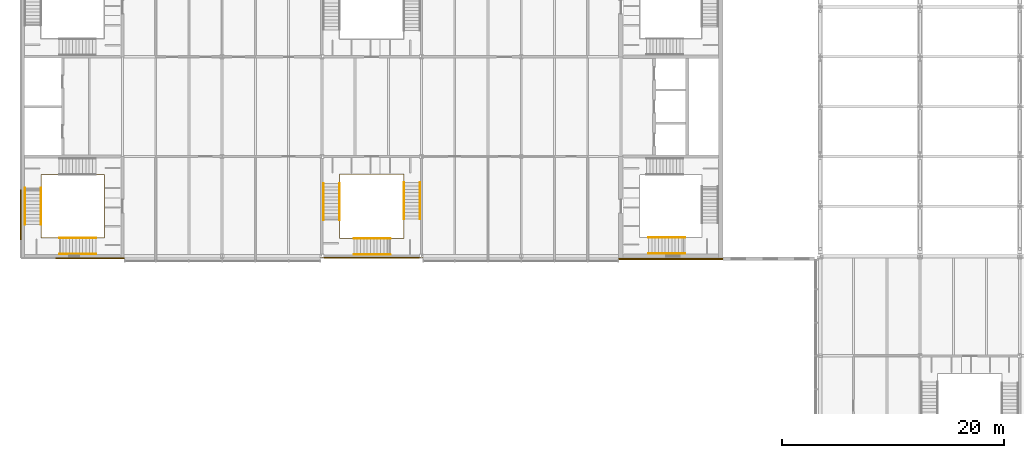
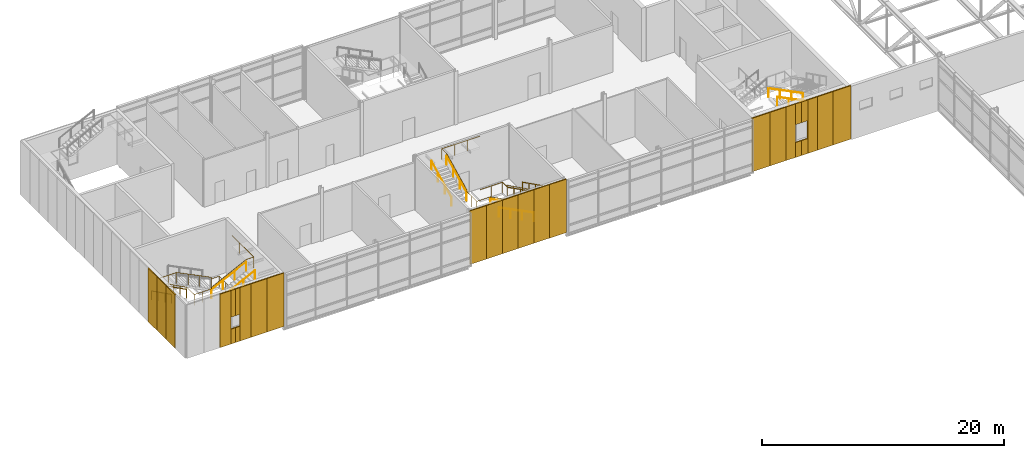
# One storey, part 48 of 53: 27 coverings, 14 railings.
"""IFC4 building model written with IfcOpenShell, lengths in metres."""

from ifc_helpers import new_model, si_unit, direction, frame, origin, origin_2d, place, context, subcontext, project, spatial, rectangle, circle, extrude, material, layer, layer_set, type_object, element, save


model = new_model("IFC4")

# Units and contexts
model_context = context("Model", 3, precision=1e-05, world=origin(), true_north=direction((0.0, 1.0)))
body_context = subcontext(model_context, "Body", "Model", "MODEL_VIEW")
ifc_project = project(units=[si_unit("LENGTHUNIT", "METRE"), si_unit("AREAUNIT", "SQUARE_METRE"), si_unit("VOLUMEUNIT", "CUBIC_METRE"), si_unit("PLANEANGLEUNIT", "RADIAN"), si_unit("MASSUNIT", "GRAM", prefix="KILO")], contexts=[model_context])

# Site, building, storey
site_placement = place(None, origin())
site = spatial("IfcSite", under=ifc_project, at=site_placement, CompositionType="ELEMENT")
building_placement = place(site_placement, origin())
building = spatial("IfcBuilding", under=site, at=building_placement, Name="Azimuth Sports and Learning Centre", CompositionType="ELEMENT")
storey_placement = place(building_placement, frame((0.0, 0.0, 10.800048828125)))
storey = spatial("IfcBuildingStorey", under=building, at=storey_placement, Name="L02", CompositionType="ELEMENT", Elevation=10.800048828125)

# Coverings
ifc_material_1 = material(Name="Cladding panel")
ifc_layer = layer(ifc_material_1, 0.10009765625)
ifc_layer_set = layer_set([ifc_layer], Name="Cladding panel")
covering_type = type_object("IfcCoveringType", Name="Cladding panel 100", PredefinedType="CLADDING", material=ifc_layer_set)
covering_1_placement = place(storey_placement, frame((3.52490234375, 89.800048828125, 0.0), z_axis=(0.0, 0.0, 1.0), x_axis=(1.0, 0.0, 0.0)))
element("IfcCovering", 1, at=covering_1_placement, inside=storey, type_object=covering_type, Name="Cladding panel S-END W L02 3", PredefinedType="CLADDING", context=body_context, shape_type="SweptSolid", body=[
    extrude(rectangle(XDim=1.050048828125, YDim=0.10009765625, at=origin_2d()), origin(), (0.0, 0.0, 1.0), 5.39990234375),
])
covering_2_placement = place(storey_placement, frame((4.27490234375, 89.800048828125, 0.0), z_axis=(0.0, 0.0, 1.0), x_axis=(1.0, 0.0, 0.0)))
element("IfcCovering", 2, at=covering_2_placement, inside=storey, type_object=covering_type, Name="Cladding panel S-END W L02 4", PredefinedType="CLADDING", context=body_context, shape_type="SweptSolid", body=[
    extrude(rectangle(XDim=0.449951171875, YDim=0.10009765625, at=origin_2d()), origin(), (0.0, 0.0, 1.0), 1.5),
])
covering_3_placement = place(storey_placement, frame((4.27490234375, 89.800048828125, 2.7001953125), z_axis=(0.0, 0.0, 1.0), x_axis=(1.0, 0.0, 0.0)))
element("IfcCovering", 3, at=covering_3_placement, inside=storey, type_object=covering_type, Name="Cladding panel S-END W L02 5", PredefinedType="CLADDING", context=body_context, shape_type="SweptSolid", body=[
    extrude(rectangle(XDim=0.449951171875, YDim=0.10009765625, at=origin_2d()), origin(), (0.0, 0.0, 1.0), 2.699951171875),
])
covering_4_placement = place(storey_placement, frame((5.47509765625, 89.800048828125, 0.0), z_axis=(0.0, 0.0, 1.0), x_axis=(1.0, 0.0, 0.0)))
element("IfcCovering", 4, at=covering_4_placement, inside=storey, type_object=covering_type, Name="Cladding panel S-END W L02 6", PredefinedType="CLADDING", context=body_context, shape_type="SweptSolid", body=[
    extrude(rectangle(XDim=1.050048828125, YDim=0.10009765625, at=origin_2d()), origin(), (0.0, 0.0, 1.0), 5.39990234375),
])
covering_5_placement = place(storey_placement, frame((4.72509765625, 89.800048828125, 0.0), z_axis=(0.0, 0.0, 1.0), x_axis=(1.0, 0.0, 0.0)))
element("IfcCovering", 5, at=covering_5_placement, inside=storey, type_object=covering_type, Name="Cladding panel S-END W L02 7", PredefinedType="CLADDING", context=body_context, shape_type="SweptSolid", body=[
    extrude(rectangle(XDim=0.449951171875, YDim=0.10009765625, at=origin_2d()), origin(), (0.0, 0.0, 1.0), 1.5),
])
covering_6_placement = place(storey_placement, frame((4.72509765625, 89.800048828125, 2.7001953125), z_axis=(0.0, 0.0, 1.0), x_axis=(1.0, 0.0, 0.0)))
element("IfcCovering", 6, at=covering_6_placement, inside=storey, type_object=covering_type, Name="Cladding panel S-END W L02 8", PredefinedType="CLADDING", context=body_context, shape_type="SweptSolid", body=[
    extrude(rectangle(XDim=0.449951171875, YDim=0.10009765625, at=origin_2d()), origin(), (0.0, 0.0, 1.0), 2.699951171875),
])
covering_7_placement = place(storey_placement, frame((6.75, 89.800048828125, 0.0), z_axis=(0.0, 0.0, 1.0), x_axis=(1.0, 0.0, 0.0)))
element("IfcCovering", 7, at=covering_7_placement, inside=storey, type_object=covering_type, Name="Cladding panel S-END W L02 9", PredefinedType="CLADDING", context=body_context, shape_type="SweptSolid", body=[
    extrude(rectangle(XDim=1.5, YDim=0.10009765625, at=origin_2d()), origin(), (0.0, 0.0, 1.0), 5.39990234375),
])
covering_8_placement = place(storey_placement, frame((8.324951171875, 89.800048828125, 0.0), z_axis=(0.0, 0.0, 1.0), x_axis=(1.0, 0.0, 0.0)))
element("IfcCovering", 8, at=covering_8_placement, inside=storey, type_object=covering_type, Name="Cladding panel S-END W L02 10", PredefinedType="CLADDING", context=body_context, shape_type="SweptSolid", body=[
    extrude(rectangle(XDim=1.64990234375, YDim=0.10009765625, at=origin_2d()), origin(), (0.0, 0.0, 1.0), 5.39990234375),
])
covering_9_placement = place(storey_placement, frame((27.699951171875, 89.85009765625, 0.0), z_axis=(0.0, 0.0, 1.0), x_axis=(1.0, 0.0, 0.0)))
element("IfcCovering", 9, at=covering_9_placement, inside=storey, type_object=covering_type, Name="Cladding panel S-WM1 L02 1", PredefinedType="CLADDING", context=body_context, shape_type="SweptSolid", body=[
    extrude(rectangle(XDim=1.60009765625, YDim=0.10009765625, at=origin_2d()), origin(), (0.0, 0.0, 1.0), 5.39990234375),
])
for number, where, z_axis, x_axis, name in (
    (10, (29.25, 89.85009765625, 0.0), (0.0, 0.0, 1.0), (1.0, 0.0, 0.0), "Cladding panel S-WM1 L02 2"),
    (11, (30.75, 89.85009765625, 0.0), (0.0, 0.0, 1.0), (1.0, 0.0, 0.0), "Cladding panel S-WM1 L02 3"),
    (12, (32.25, 89.85009765625, 0.0), (0.0, 0.0, 1.0), (1.0, 0.0, 0.0), "Cladding panel S-WM1 L02 4"),
    (13, (33.75, 89.85009765625, 0.0), (0.0, 0.0, 1.0), (1.0, 0.0, 0.0), "Cladding panel S-WM1 L02 5"),
):
    element("IfcCovering", number, at=place(storey_placement, frame(where, z_axis=z_axis, x_axis=x_axis)), inside=storey, type_object=covering_type, Name=name, PredefinedType="CLADDING", context=body_context, shape_type="SweptSolid", body=[
        extrude(rectangle(XDim=1.5, YDim=0.10009765625, at=origin_2d()), origin(), (0.0, 0.0, 1.0), 5.39990234375),
    ])
covering_10_placement = place(storey_placement, frame((35.300048828125, 89.85009765625, 0.0), z_axis=(0.0, 0.0, 1.0), x_axis=(1.0, 0.0, 0.0)))
element("IfcCovering", 14, at=covering_10_placement, inside=storey, type_object=covering_type, Name="Cladding panel S-WM1 L02 6", PredefinedType="CLADDING", context=body_context, shape_type="SweptSolid", body=[
    extrude(rectangle(XDim=1.60009765625, YDim=0.10009765625, at=origin_2d()), origin(), (0.0, 0.0, 1.0), 5.39990234375),
])
covering_11_placement = place(storey_placement, frame((54.64990234375, 89.75, 0.0), z_axis=(0.0, 0.0, 1.0), x_axis=(1.0, 0.0, 0.0)))
element("IfcCovering", 15, at=covering_11_placement, inside=storey, type_object=covering_type, Name="Cladding panel S-CORE W L02 1", PredefinedType="CLADDING", context=body_context, shape_type="SweptSolid", body=[
    extrude(rectangle(XDim=1.699951171875, YDim=0.10009765625, at=origin_2d()), origin(), (0.0, 0.0, 1.0), 5.39990234375),
])
covering_12_placement = place(storey_placement, frame((56.25, 89.75, 0.0), z_axis=(0.0, 0.0, 1.0), x_axis=(1.0, 0.0, 0.0)))
element("IfcCovering", 16, at=covering_12_placement, inside=storey, type_object=covering_type, Name="Cladding panel S-CORE W L02 2", PredefinedType="CLADDING", context=body_context, shape_type="SweptSolid", body=[
    extrude(rectangle(XDim=1.5, YDim=0.10009765625, at=origin_2d()), origin(), (0.0, 0.0, 1.0), 5.39990234375),
])
covering_13_placement = place(storey_placement, frame((57.449951171875, 89.75, 0.0), z_axis=(0.0, 0.0, 1.0), x_axis=(1.0, 0.0, 0.0)))
element("IfcCovering", 17, at=covering_13_placement, inside=storey, type_object=covering_type, Name="Cladding panel S-CORE W L02 3", PredefinedType="CLADDING", context=body_context, shape_type="SweptSolid", body=[
    extrude(rectangle(XDim=0.89990234375, YDim=0.10009765625, at=origin_2d()), origin(), (0.0, 0.0, 1.0), 5.39990234375),
])
covering_14_placement = place(storey_placement, frame((58.199951171875, 89.75, 0.0), z_axis=(0.0, 0.0, 1.0), x_axis=(1.0, 0.0, 0.0)))
element("IfcCovering", 18, at=covering_14_placement, inside=storey, type_object=covering_type, Name="Cladding panel S-CORE W L02 4", PredefinedType="CLADDING", context=body_context, shape_type="SweptSolid", body=[
    extrude(rectangle(XDim=0.60009765625, YDim=0.10009765625, at=origin_2d()), origin(), (0.0, 0.0, 1.0), 1.5),
])
covering_15_placement = place(storey_placement, frame((58.199951171875, 89.75, 3.2998046875), z_axis=(0.0, 0.0, 1.0), x_axis=(1.0, 0.0, 0.0)))
element("IfcCovering", 19, at=covering_15_placement, inside=storey, type_object=covering_type, Name="Cladding panel S-CORE W L02 5", PredefinedType="CLADDING", context=body_context, shape_type="SweptSolid", body=[
    extrude(rectangle(XDim=0.60009765625, YDim=0.10009765625, at=origin_2d()), origin(), (0.0, 0.0, 1.0), 2.10009765625),
])
covering_16_placement = place(storey_placement, frame((59.550048828125, 89.75, 0.0), z_axis=(0.0, 0.0, 1.0), x_axis=(1.0, 0.0, 0.0)))
element("IfcCovering", 20, at=covering_16_placement, inside=storey, type_object=covering_type, Name="Cladding panel S-CORE W L02 6", PredefinedType="CLADDING", context=body_context, shape_type="SweptSolid", body=[
    extrude(rectangle(XDim=0.89990234375, YDim=0.10009765625, at=origin_2d()), origin(), (0.0, 0.0, 1.0), 5.39990234375),
])
covering_17_placement = place(storey_placement, frame((58.800048828125, 89.75, 0.0), z_axis=(0.0, 0.0, 1.0), x_axis=(1.0, 0.0, 0.0)))
element("IfcCovering", 21, at=covering_17_placement, inside=storey, type_object=covering_type, Name="Cladding panel S-CORE W L02 7", PredefinedType="CLADDING", context=body_context, shape_type="SweptSolid", body=[
    extrude(rectangle(XDim=0.60009765625, YDim=0.10009765625, at=origin_2d()), origin(), (0.0, 0.0, 1.0), 1.5),
])
covering_18_placement = place(storey_placement, frame((58.800048828125, 89.75, 3.2998046875), z_axis=(0.0, 0.0, 1.0), x_axis=(1.0, 0.0, 0.0)))
element("IfcCovering", 22, at=covering_18_placement, inside=storey, type_object=covering_type, Name="Cladding panel S-CORE W L02 8", PredefinedType="CLADDING", context=body_context, shape_type="SweptSolid", body=[
    extrude(rectangle(XDim=0.60009765625, YDim=0.10009765625, at=origin_2d()), origin(), (0.0, 0.0, 1.0), 2.10009765625),
])
covering_19_placement = place(storey_placement, frame((60.75, 89.75, 0.0), z_axis=(0.0, 0.0, 1.0), x_axis=(1.0, 0.0, 0.0)))
element("IfcCovering", 23, at=covering_19_placement, inside=storey, type_object=covering_type, Name="Cladding panel S-CORE W L02 9", PredefinedType="CLADDING", context=body_context, shape_type="SweptSolid", body=[
    extrude(rectangle(XDim=1.5, YDim=0.10009765625, at=origin_2d()), origin(), (0.0, 0.0, 1.0), 5.39990234375),
])
covering_20_placement = place(storey_placement, frame((62.35009765625, 89.75, 0.0), z_axis=(0.0, 0.0, 1.0), x_axis=(1.0, 0.0, 0.0)))
element("IfcCovering", 24, at=covering_20_placement, inside=storey, type_object=covering_type, Name="Cladding panel S-CORE W L02 10", PredefinedType="CLADDING", context=body_context, shape_type="SweptSolid", body=[
    extrude(rectangle(XDim=1.699951171875, YDim=0.10009765625, at=origin_2d()), origin(), (0.0, 0.0, 1.0), 5.39990234375),
])
for number, where, z_axis, x_axis, name in (
    (25, (-0.199951171875, 95.25, 0.0), (0.0, 0.0, 1.0), (0.0, -1.0, 0.0), "Cladding panel W-END W L02 15"),
    (26, (-0.199951171875, 93.75, 0.0), (0.0, 0.0, 1.0), (0.0, -1.0, 0.0), "Cladding panel W-END W L02 16"),
    (27, (-0.199951171875, 92.25, 0.0), (0.0, 0.0, 1.0), (0.0, -1.0, 0.0), "Cladding panel W-END W L02 17"),
):
    element("IfcCovering", number, at=place(storey_placement, frame(where, z_axis=z_axis, x_axis=x_axis)), inside=storey, type_object=covering_type, Name=name, PredefinedType="CLADDING", context=body_context, shape_type="SweptSolid", body=[
        extrude(rectangle(XDim=1.5, YDim=0.10009765625, at=origin_2d()), origin(), (0.0, 0.0, 1.0), 5.39990234375),
    ])

# Railings
ifc_material_2 = material(Name="Stainless steel", Category="steel")
railing_type_1 = type_object("IfcRailingType", Name="Stair guard 1100", PredefinedType="GUARDRAIL", material=ifc_material_2)
railing_1_placement = place(storey_placement, frame((7.340087890625, 95.25, 0.0)))
element("IfcRailing", 28, at=railing_1_placement, inside=storey, type_object=railing_type_1, Name="Guard WW1 L02 well", PredefinedType="GUARDRAIL", context=body_context, shape_type="SweptSolid", body=[
    extrude(circle(Radius=0.02392578125, at=origin_2d()), frame((0.0, 0.0, 1.076171875), z_axis=(0.0, 1.0, 0.0), x_axis=(-1.0, 0.0, 0.0)), (0.0, 0.0, 1.0), 2.114990234375),
    extrude(circle(Radius=0.02392578125, at=origin_2d()), frame((0.0, 2.114990234375, 1.076171875), z_axis=(-1.0, 0.0, 0.0), x_axis=(0.0, -1.0, 0.0)), (0.0, 0.0, 1.0), 0.75),
    extrude(circle(Radius=0.02392578125, at=origin_2d()), frame((-0.75, 2.114990234375, 1.076171875), z_axis=(0.0, 0.0, 1.0), x_axis=(1.0, 0.0, 0.0)), (0.0, 0.0, 1.0), 0.14990234375),
    extrude(circle(Radius=0.02392578125, at=origin_2d()), frame((-0.75, 2.114990234375, 1.22607421875), z_axis=(-0.894413956696, 0.0, 0.447240063129), x_axis=(0.0, -1.0, 0.0)), (0.0, 0.0, 1.0), 3.689697265625),
    extrude(circle(Radius=0.02392578125, at=origin_2d()), frame((-4.050048828125, 2.114990234375, 2.8759765625), z_axis=(-1.0, 0.0, 0.0), x_axis=(0.0, -1.0, 0.0)), (0.0, 0.0, 1.0), 1.630126953125),
    extrude(circle(Radius=0.02392578125, at=origin_2d()), frame((-5.68017578125, 2.114990234375, 2.8759765625), z_axis=(0.0, -1.0, 0.0), x_axis=(1.0, 0.0, 0.0)), (0.0, 0.0, 1.0), 1.199951171875),
    extrude(circle(Radius=0.02392578125, at=origin_2d()), frame((-5.68017578125, 0.9150390625, 2.8759765625), z_axis=(0.0, 0.0, 1.0), x_axis=(1.0, 0.0, 0.0)), (0.0, 0.0, 1.0), 0.14990234375),
    extrude(circle(Radius=0.02392578125, at=origin_2d()), frame((-5.68017578125, 0.9150390625, 3.02587890625), z_axis=(0.0, -0.894440424912, 0.447187126696), x_axis=(1.0, 0.0, 0.0)), (0.0, 0.0, 1.0), 3.689453125),
    extrude(circle(Radius=0.02392578125, at=origin_2d()), frame((-5.68017578125, -2.385009765625, 4.67578125), z_axis=(0.0, -1.0, 0.0), x_axis=(1.0, 0.0, 0.0)), (0.0, 0.0, 1.0), 1.205078125),
    extrude(circle(Radius=0.02392578125, at=origin_2d()), frame((-5.68017578125, -3.590087890625, 4.67578125), z_axis=(1.0, 0.0, 0.0), x_axis=(0.0, 1.0, 0.0)), (0.0, 0.0, 1.0), 1.650146484375),
    extrude(circle(Radius=0.02392578125, at=origin_2d()), frame((-4.030029296875, -3.590087890625, 4.67578125), z_axis=(0.0, 0.0, 1.0), x_axis=(1.0, 0.0, 0.0)), (0.0, 0.0, 1.0), 0.150146484375),
    extrude(circle(Radius=0.02392578125, at=origin_2d()), frame((-4.030029296875, -3.590087890625, 4.826171875), z_axis=(0.894440424912, 0.0, 0.447187126696), x_axis=(0.0, 1.0, 0.0)), (0.0, 0.0, 1.0), 3.689453125),
    extrude(circle(Radius=0.02392578125, at=origin_2d()), frame((-0.72998046875, -3.590087890625, 6.47607421875), z_axis=(1.0, 0.0, 0.0), x_axis=(0.0, 1.0, 0.0)), (0.0, 0.0, 1.0), 0.72998046875),
    extrude(circle(Radius=0.02392578125, at=origin_2d()), frame((0.0, -3.590087890625, 6.47607421875), z_axis=(0.0, 1.0, 0.0), x_axis=(-1.0, 0.0, 0.0)), (0.0, 0.0, 1.0), 3.590087890625),
    extrude(circle(Radius=0.01611328125, at=origin_2d()), origin(), (0.0, 0.0, 1.0), 1.052001953125),
    extrude(circle(Radius=0.01611328125, at=origin_2d()), frame((0.0, 1.0576171875, 0.0)), (0.0, 0.0, 1.0), 1.052001953125),
    extrude(circle(Radius=0.01611328125, at=origin_2d()), frame((0.0, 2.114990234375, 0.0)), (0.0, 0.0, 1.0), 1.052001953125),
    extrude(circle(Radius=0.01611328125, at=origin_2d()), frame((-0.75, 2.114990234375, 0.0)), (0.0, 0.0, 1.0), 1.052001953125),
    extrude(circle(Radius=0.01611328125, at=origin_2d()), frame((-0.75, 2.114990234375, 0.14990234375)), (0.0, 0.0, 1.0), 1.052001953125),
    extrude(circle(Radius=0.01611328125, at=origin_2d()), frame((-1.85009765625, 2.114990234375, 0.699951171875)), (0.0, 0.0, 1.0), 1.052001953125),
    extrude(circle(Radius=0.01611328125, at=origin_2d()), frame((-2.949951171875, 2.114990234375, 1.25)), (0.0, 0.0, 1.0), 1.052001953125),
    extrude(circle(Radius=0.01611328125, at=origin_2d()), frame((-4.050048828125, 2.114990234375, 1.800048828125)), (0.0, 0.0, 1.0), 1.052001953125),
    extrude(circle(Radius=0.01611328125, at=origin_2d()), frame((-4.865234375, 2.114990234375, 1.800048828125)), (0.0, 0.0, 1.0), 1.052001953125),
    extrude(circle(Radius=0.01611328125, at=origin_2d()), frame((-5.68017578125, 2.114990234375, 1.800048828125)), (0.0, 0.0, 1.0), 1.052001953125),
    extrude(circle(Radius=0.01611328125, at=origin_2d()), frame((-5.68017578125, 0.9150390625, 1.800048828125)), (0.0, 0.0, 1.0), 1.052001953125),
    extrude(circle(Radius=0.01611328125, at=origin_2d()), frame((-5.68017578125, 0.9150390625, 1.949951171875)), (0.0, 0.0, 1.0), 1.052001953125),
    extrude(circle(Radius=0.01611328125, at=origin_2d()), frame((-5.68017578125, -0.18505859375, 2.5)), (0.0, 0.0, 1.0), 1.052001953125),
    extrude(circle(Radius=0.01611328125, at=origin_2d()), frame((-5.68017578125, -1.284912109375, 3.0498046875)), (0.0, 0.0, 1.0), 1.052001953125),
    extrude(circle(Radius=0.01611328125, at=origin_2d()), frame((-5.68017578125, -2.385009765625, 3.599853515625)), (0.0, 0.0, 1.0), 1.052001953125),
    extrude(circle(Radius=0.01611328125, at=origin_2d()), frame((-5.68017578125, -3.590087890625, 3.599853515625)), (0.0, 0.0, 1.0), 1.052001953125),
    extrude(circle(Radius=0.01611328125, at=origin_2d()), frame((-4.85498046875, -3.590087890625, 3.599853515625)), (0.0, 0.0, 1.0), 1.052001953125),
    extrude(circle(Radius=0.01611328125, at=origin_2d()), frame((-4.030029296875, -3.590087890625, 3.599853515625)), (0.0, 0.0, 1.0), 1.052001953125),
    extrude(circle(Radius=0.01611328125, at=origin_2d()), frame((-4.030029296875, -3.590087890625, 3.75)), (0.0, 0.0, 1.0), 1.052001953125),
    extrude(circle(Radius=0.01611328125, at=origin_2d()), frame((-2.929931640625, -3.590087890625, 4.300048828125)), (0.0, 0.0, 1.0), 1.052001953125),
    extrude(circle(Radius=0.01611328125, at=origin_2d()), frame((-1.830078125, -3.590087890625, 4.849853515625)), (0.0, 0.0, 1.0), 1.052001953125),
    extrude(circle(Radius=0.01611328125, at=origin_2d()), frame((-0.72998046875, -3.590087890625, 5.39990234375)), (0.0, 0.0, 1.0), 1.052001953125),
    extrude(circle(Radius=0.01611328125, at=origin_2d()), frame((0.0, -3.590087890625, 5.39990234375)), (0.0, 0.0, 1.0), 1.052001953125),
    extrude(circle(Radius=0.01611328125, at=origin_2d()), frame((0.0, -2.393310546875, 5.39990234375)), (0.0, 0.0, 1.0), 1.052001953125),
    extrude(circle(Radius=0.01611328125, at=origin_2d()), frame((0.0, -1.19677734375, 5.39990234375)), (0.0, 0.0, 1.0), 1.052001953125),
    extrude(circle(Radius=0.01611328125, at=origin_2d()), frame((0.0, 0.0, 5.39990234375)), (0.0, 0.0, 1.0), 1.052001953125),
])
railing_2_placement = place(storey_placement, frame((32.25, 97.389892578125, 0.0)))
element("IfcRailing", 29, at=railing_2_placement, inside=storey, type_object=railing_type_1, Name="Guard WM1 L02 well", PredefinedType="GUARDRAIL", context=body_context, shape_type="SweptSolid", body=[
    extrude(circle(Radius=0.02392578125, at=origin_2d()), frame((0.0, 0.0, 1.076171875), z_axis=(1.0, 0.0, 0.0), x_axis=(0.0, 1.0, 0.0)), (0.0, 0.0, 1.0), 2.139892578125),
    extrude(circle(Radius=0.02392578125, at=origin_2d()), frame((2.139892578125, 0.0, 1.076171875), z_axis=(0.0, -1.0, 0.0), x_axis=(1.0, 0.0, 0.0)), (0.0, 0.0, 1.0), 0.75),
    extrude(circle(Radius=0.02392578125, at=origin_2d()), frame((2.139892578125, -0.75, 1.076171875), z_axis=(0.0, 0.0, 1.0), x_axis=(1.0, 0.0, 0.0)), (0.0, 0.0, 1.0), 0.14990234375),
    extrude(circle(Radius=0.02392578125, at=origin_2d()), frame((2.139892578125, -0.75, 1.22607421875), z_axis=(0.0, -0.894400720042, 0.447266533499), x_axis=(1.0, 0.0, 0.0)), (0.0, 0.0, 1.0), 3.689453125),
    extrude(circle(Radius=0.02392578125, at=origin_2d()), frame((2.139892578125, -4.0498046875, 2.8759765625), z_axis=(0.0, -1.0, 0.0), x_axis=(1.0, 0.0, 0.0)), (0.0, 0.0, 1.0), 1.72998046875),
    extrude(circle(Radius=0.02392578125, at=origin_2d()), frame((2.139892578125, -5.77978515625, 2.8759765625), z_axis=(-1.0, 0.0, 0.0), x_axis=(0.0, -1.0, 0.0)), (0.0, 0.0, 1.0), 1.199951171875),
    extrude(circle(Radius=0.02392578125, at=origin_2d()), frame((0.93994140625, -5.77978515625, 2.8759765625), z_axis=(0.0, 0.0, 1.0), x_axis=(1.0, 0.0, 0.0)), (0.0, 0.0, 1.0), 0.14990234375),
    extrude(circle(Radius=0.02392578125, at=origin_2d()), frame((0.93994140625, -5.77978515625, 3.02587890625), z_axis=(-0.894440424912, 0.0, 0.447187126696), x_axis=(0.0, -1.0, 0.0)), (0.0, 0.0, 1.0), 3.689453125),
    extrude(circle(Radius=0.02392578125, at=origin_2d()), frame((-2.360107421875, -5.77978515625, 4.67578125), z_axis=(-1.0, 0.0, 0.0), x_axis=(0.0, -1.0, 0.0)), (0.0, 0.0, 1.0), 1.27978515625),
    extrude(circle(Radius=0.02392578125, at=origin_2d()), frame((-3.639892578125, -5.77978515625, 4.67578125), z_axis=(0.0, 1.0, 0.0), x_axis=(-1.0, 0.0, 0.0)), (0.0, 0.0, 1.0), 1.64990234375),
    extrude(circle(Radius=0.02392578125, at=origin_2d()), frame((-3.639892578125, -4.1298828125, 4.67578125), z_axis=(0.0, 0.0, 1.0), x_axis=(1.0, 0.0, 0.0)), (0.0, 0.0, 1.0), 0.150146484375),
    extrude(circle(Radius=0.02392578125, at=origin_2d()), frame((-3.639892578125, -4.1298828125, 4.826171875), z_axis=(0.0, 0.894440424912, 0.447187126696), x_axis=(-1.0, 0.0, 0.0)), (0.0, 0.0, 1.0), 3.689453125),
    extrude(circle(Radius=0.02392578125, at=origin_2d()), frame((-3.639892578125, -0.829833984375, 6.47607421875), z_axis=(0.0, 1.0, 0.0), x_axis=(-1.0, 0.0, 0.0)), (0.0, 0.0, 1.0), 0.829833984375),
    extrude(circle(Radius=0.02392578125, at=origin_2d()), frame((-3.639892578125, 0.0, 6.47607421875), z_axis=(1.0, 0.0, 0.0), x_axis=(0.0, 1.0, 0.0)), (0.0, 0.0, 1.0), 3.639892578125),
    extrude(circle(Radius=0.01611328125, at=origin_2d()), origin(), (0.0, 0.0, 1.0), 1.052001953125),
    extrude(circle(Radius=0.01611328125, at=origin_2d()), frame((1.06982421875, 0.0, 0.0)), (0.0, 0.0, 1.0), 1.052001953125),
    extrude(circle(Radius=0.01611328125, at=origin_2d()), frame((2.139892578125, 0.0, 0.0)), (0.0, 0.0, 1.0), 1.052001953125),
    extrude(circle(Radius=0.01611328125, at=origin_2d()), frame((2.139892578125, -0.75, 0.0)), (0.0, 0.0, 1.0), 1.052001953125),
    extrude(circle(Radius=0.01611328125, at=origin_2d()), frame((2.139892578125, -0.75, 0.14990234375)), (0.0, 0.0, 1.0), 1.052001953125),
    extrude(circle(Radius=0.01611328125, at=origin_2d()), frame((2.139892578125, -1.849853515625, 0.699951171875)), (0.0, 0.0, 1.0), 1.052001953125),
    extrude(circle(Radius=0.01611328125, at=origin_2d()), frame((2.139892578125, -2.949951171875, 1.25)), (0.0, 0.0, 1.0), 1.052001953125),
    extrude(circle(Radius=0.01611328125, at=origin_2d()), frame((2.139892578125, -4.0498046875, 1.800048828125)), (0.0, 0.0, 1.0), 1.052001953125),
    extrude(circle(Radius=0.01611328125, at=origin_2d()), frame((2.139892578125, -4.914794921875, 1.800048828125)), (0.0, 0.0, 1.0), 1.052001953125),
    extrude(circle(Radius=0.01611328125, at=origin_2d()), frame((2.139892578125, -5.77978515625, 1.800048828125)), (0.0, 0.0, 1.0), 1.052001953125),
    extrude(circle(Radius=0.01611328125, at=origin_2d()), frame((0.93994140625, -5.77978515625, 1.800048828125)), (0.0, 0.0, 1.0), 1.052001953125),
    extrude(circle(Radius=0.01611328125, at=origin_2d()), frame((0.93994140625, -5.77978515625, 1.949951171875)), (0.0, 0.0, 1.0), 1.052001953125),
    extrude(circle(Radius=0.01611328125, at=origin_2d()), frame((-0.16015625, -5.77978515625, 2.5)), (0.0, 0.0, 1.0), 1.052001953125),
    extrude(circle(Radius=0.01611328125, at=origin_2d()), frame((-1.260009765625, -5.77978515625, 3.0498046875)), (0.0, 0.0, 1.0), 1.052001953125),
    extrude(circle(Radius=0.01611328125, at=origin_2d()), frame((-2.360107421875, -5.77978515625, 3.599853515625)), (0.0, 0.0, 1.0), 1.052001953125),
    extrude(circle(Radius=0.01611328125, at=origin_2d()), frame((-3.639892578125, -5.77978515625, 3.599853515625)), (0.0, 0.0, 1.0), 1.052001953125),
    extrude(circle(Radius=0.01611328125, at=origin_2d()), frame((-3.639892578125, -4.954833984375, 3.599853515625)), (0.0, 0.0, 1.0), 1.052001953125),
    extrude(circle(Radius=0.01611328125, at=origin_2d()), frame((-3.639892578125, -4.1298828125, 3.599853515625)), (0.0, 0.0, 1.0), 1.052001953125),
    extrude(circle(Radius=0.01611328125, at=origin_2d()), frame((-3.639892578125, -4.1298828125, 3.75)), (0.0, 0.0, 1.0), 1.052001953125),
    extrude(circle(Radius=0.01611328125, at=origin_2d()), frame((-3.639892578125, -3.02978515625, 4.300048828125)), (0.0, 0.0, 1.0), 1.052001953125),
    extrude(circle(Radius=0.01611328125, at=origin_2d()), frame((-3.639892578125, -1.929931640625, 4.849853515625)), (0.0, 0.0, 1.0), 1.052001953125),
    extrude(circle(Radius=0.01611328125, at=origin_2d()), frame((-3.639892578125, -0.829833984375, 5.39990234375)), (0.0, 0.0, 1.0), 1.052001953125),
    extrude(circle(Radius=0.01611328125, at=origin_2d()), frame((-3.639892578125, 0.0, 5.39990234375)), (0.0, 0.0, 1.0), 1.052001953125),
    extrude(circle(Radius=0.01611328125, at=origin_2d()), frame((-2.426513671875, 0.0, 5.39990234375)), (0.0, 0.0, 1.0), 1.052001953125),
    extrude(circle(Radius=0.01611328125, at=origin_2d()), frame((-1.21337890625, 0.0, 5.39990234375)), (0.0, 0.0, 1.0), 1.052001953125),
    extrude(circle(Radius=0.01611328125, at=origin_2d()), frame((0.0, 0.0, 5.39990234375)), (0.0, 0.0, 1.0), 1.052001953125),
])
ifc_material_3 = material(Name="Stainless steel", Category="steel")
railing_type_2 = type_object("IfcRailingType", Name="Stair handrail 42", PredefinedType="HANDRAIL", material=ifc_material_3)
for number, where, name in (
    (30, (59.7900390625, 91.679931640625, 3.75), "Handrail W1 L02 flight 3 inner"),
    (31, (59.7900390625, 90.239990234375, 3.75), "Handrail W1 L02 flight 3 outer"),
):
    element("IfcRailing", number, at=place(storey_placement, frame(where)), inside=storey, type_object=railing_type_2, Name=name, PredefinedType="HANDRAIL", context=body_context, shape_type="SweptSolid", body=[
        extrude(circle(Radius=0.02099609375, at=origin_2d()), frame((0.0, 0.0, 0.87890625), z_axis=(-0.894440424912, 0.0, 0.447187126696), x_axis=(0.0, -1.0, 0.0)), (0.0, 0.0, 1.0), 3.689453125),
        extrude(circle(Radius=0.01611328125, at=origin_2d()), origin(), (0.0, 0.0, 1.0), 0.85791015625),
        extrude(circle(Radius=0.01611328125, at=origin_2d()), frame((-1.10009765625, 0.0, 0.550048828125)), (0.0, 0.0, 1.0), 0.85791015625),
        extrude(circle(Radius=0.01611328125, at=origin_2d()), frame((-2.199951171875, 0.0, 1.099853515625)), (0.0, 0.0, 1.0), 0.85791015625),
        extrude(circle(Radius=0.01611328125, at=origin_2d()), frame((-3.300048828125, 0.0, 1.64990234375)), (0.0, 0.0, 1.0), 0.85791015625),
    ])
for number, where, name in (
    (32, (1.6298828125, 96.1650390625, 1.949951171875), "Handrail WW1 L02 flight 2 inner"),
    (33, (0.18994140625, 96.1650390625, 1.949951171875), "Handrail WW1 L02 flight 2 outer"),
):
    element("IfcRailing", number, at=place(storey_placement, frame(where)), inside=storey, type_object=railing_type_2, Name=name, PredefinedType="HANDRAIL", context=body_context, shape_type="SweptSolid", body=[
        extrude(circle(Radius=0.02099609375, at=origin_2d()), frame((0.0, 0.0, 0.87890625), z_axis=(0.0, -0.894440424912, 0.447187126696), x_axis=(1.0, 0.0, 0.0)), (0.0, 0.0, 1.0), 3.689453125),
        extrude(circle(Radius=0.01611328125, at=origin_2d()), origin(), (0.0, 0.0, 1.0), 0.85791015625),
        extrude(circle(Radius=0.01611328125, at=origin_2d()), frame((0.0, -1.10009765625, 0.550048828125)), (0.0, 0.0, 1.0), 0.85791015625),
        extrude(circle(Radius=0.01611328125, at=origin_2d()), frame((0.0, -2.199951171875, 1.099853515625)), (0.0, 0.0, 1.0), 0.85791015625),
        extrude(circle(Radius=0.01611328125, at=origin_2d()), frame((0.0, -3.300048828125, 1.64990234375)), (0.0, 0.0, 1.0), 0.85791015625),
    ])
for number, where, name in (
    (34, (3.31005859375, 91.6298828125, 3.75), "Handrail WW1 L02 flight 3 inner"),
    (35, (3.31005859375, 90.18994140625, 3.75), "Handrail WW1 L02 flight 3 outer"),
):
    element("IfcRailing", number, at=place(storey_placement, frame(where)), inside=storey, type_object=railing_type_2, Name=name, PredefinedType="HANDRAIL", context=body_context, shape_type="SweptSolid", body=[
        extrude(circle(Radius=0.02099609375, at=origin_2d()), frame((0.0, 0.0, 0.87890625), z_axis=(0.894440424912, 0.0, 0.447187126696), x_axis=(0.0, 1.0, 0.0)), (0.0, 0.0, 1.0), 3.689453125),
        extrude(circle(Radius=0.01611328125, at=origin_2d()), origin(), (0.0, 0.0, 1.0), 0.85791015625),
        extrude(circle(Radius=0.01611328125, at=origin_2d()), frame((1.10009765625, 0.0, 0.550048828125)), (0.0, 0.0, 1.0), 0.85791015625),
        extrude(circle(Radius=0.01611328125, at=origin_2d()), frame((2.199951171875, 0.0, 1.099853515625)), (0.0, 0.0, 1.0), 0.85791015625),
        extrude(circle(Radius=0.01611328125, at=origin_2d()), frame((3.300048828125, 0.0, 1.64990234375)), (0.0, 0.0, 1.0), 0.85791015625),
    ])
for number, where, name in (
    (36, (34.419921875, 96.639892578125, 0.14990234375), "Handrail WM1 L02 flight 1 inner"),
    (37, (35.860107421875, 96.639892578125, 0.14990234375), "Handrail WM1 L02 flight 1 outer"),
):
    element("IfcRailing", number, at=place(storey_placement, frame(where)), inside=storey, type_object=railing_type_2, Name=name, PredefinedType="HANDRAIL", context=body_context, shape_type="SweptSolid", body=[
        extrude(circle(Radius=0.02099609375, at=origin_2d()), frame((0.0, 0.0, 0.87890625), z_axis=(0.0, -0.894400720042, 0.447266533499), x_axis=(1.0, 0.0, 0.0)), (0.0, 0.0, 1.0), 3.689453125),
        extrude(circle(Radius=0.01611328125, at=origin_2d()), origin(), (0.0, 0.0, 1.0), 0.85791015625),
        extrude(circle(Radius=0.01611328125, at=origin_2d()), frame((0.0, -1.099853515625, 0.550048828125)), (0.0, 0.0, 1.0), 0.85791015625),
        extrude(circle(Radius=0.01611328125, at=origin_2d()), frame((0.0, -2.199951171875, 1.10009765625)), (0.0, 0.0, 1.0), 0.85791015625),
        extrude(circle(Radius=0.01611328125, at=origin_2d()), frame((0.0, -3.2998046875, 1.650146484375)), (0.0, 0.0, 1.0), 0.85791015625),
    ])
for number, where, name in (
    (38, (33.18994140625, 91.580078125, 1.949951171875), "Handrail WM1 L02 flight 2 inner"),
    (39, (33.18994140625, 90.139892578125, 1.949951171875), "Handrail WM1 L02 flight 2 outer"),
):
    element("IfcRailing", number, at=place(storey_placement, frame(where)), inside=storey, type_object=railing_type_2, Name=name, PredefinedType="HANDRAIL", context=body_context, shape_type="SweptSolid", body=[
        extrude(circle(Radius=0.02099609375, at=origin_2d()), frame((0.0, 0.0, 0.87890625), z_axis=(-0.894440424912, 0.0, 0.447187126696), x_axis=(0.0, -1.0, 0.0)), (0.0, 0.0, 1.0), 3.689453125),
        extrude(circle(Radius=0.01611328125, at=origin_2d()), origin(), (0.0, 0.0, 1.0), 0.85791015625),
        extrude(circle(Radius=0.01611328125, at=origin_2d()), frame((-1.10009765625, 0.0, 0.550048828125)), (0.0, 0.0, 1.0), 0.85791015625),
        extrude(circle(Radius=0.01611328125, at=origin_2d()), frame((-2.199951171875, 0.0, 1.099853515625)), (0.0, 0.0, 1.0), 0.85791015625),
        extrude(circle(Radius=0.01611328125, at=origin_2d()), frame((-3.300048828125, 0.0, 1.64990234375)), (0.0, 0.0, 1.0), 0.85791015625),
    ])
for number, where, name in (
    (40, (28.580078125, 93.260009765625, 3.75), "Handrail WM1 L02 flight 3 inner"),
    (41, (27.139892578125, 93.260009765625, 3.75), "Handrail WM1 L02 flight 3 outer"),
):
    element("IfcRailing", number, at=place(storey_placement, frame(where)), inside=storey, type_object=railing_type_2, Name=name, PredefinedType="HANDRAIL", context=body_context, shape_type="SweptSolid", body=[
        extrude(circle(Radius=0.02099609375, at=origin_2d()), frame((0.0, 0.0, 0.87890625), z_axis=(0.0, 0.894440424912, 0.447187126696), x_axis=(-1.0, 0.0, 0.0)), (0.0, 0.0, 1.0), 3.689453125),
        extrude(circle(Radius=0.01611328125, at=origin_2d()), origin(), (0.0, 0.0, 1.0), 0.85791015625),
        extrude(circle(Radius=0.01611328125, at=origin_2d()), frame((0.0, 1.10009765625, 0.550048828125)), (0.0, 0.0, 1.0), 0.85791015625),
        extrude(circle(Radius=0.01611328125, at=origin_2d()), frame((0.0, 2.199951171875, 1.099853515625)), (0.0, 0.0, 1.0), 0.85791015625),
        extrude(circle(Radius=0.01611328125, at=origin_2d()), frame((0.0, 3.300048828125, 1.64990234375)), (0.0, 0.0, 1.0), 0.85791015625),
    ])

save(model, "model.ifc")
